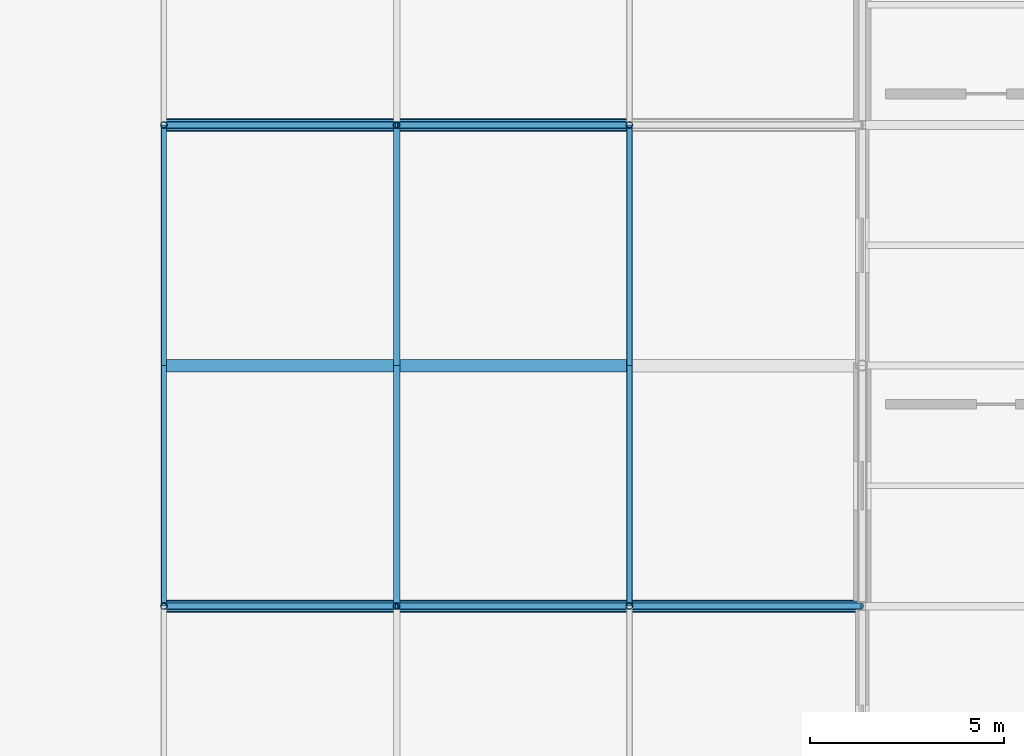
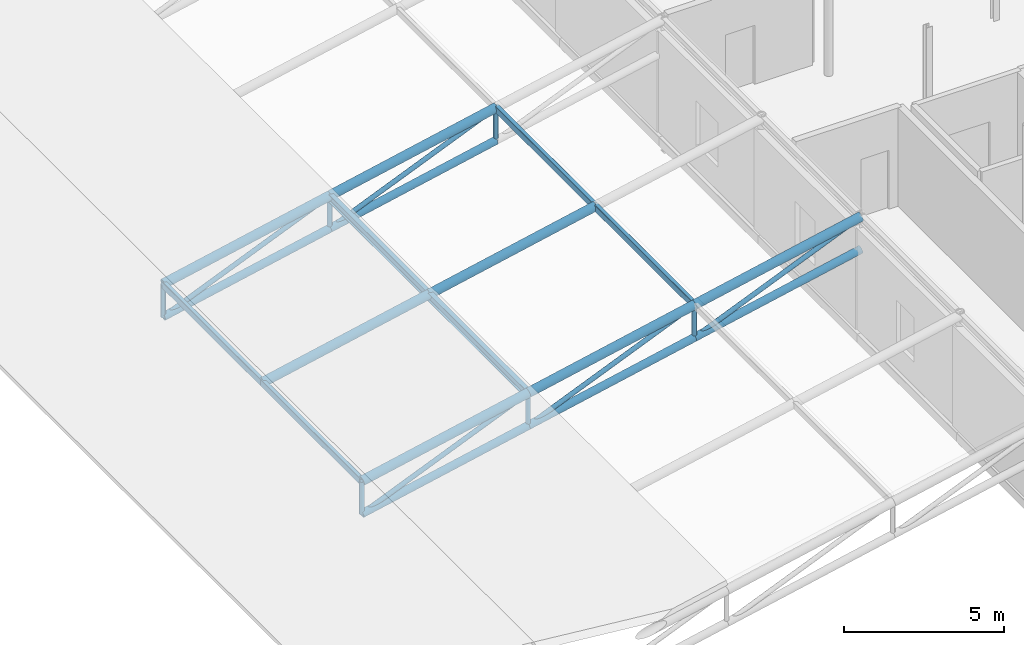
# One storey, part 19 of 66: 29 members.
"""IFC4 building model written with IfcOpenShell, lengths in metres."""

from ifc_helpers import new_model, si_unit, direction, frame, origin, origin_2d, place, context, subcontext, project, spatial, hollow_rectangle, hollow_circle, i_section, extrude, material, material_profile, profile_set, type_object, element, save


model = new_model("IFC4")

# Units and contexts
model_context = context("Model", 3, precision=1e-05, world=origin(), true_north=direction((0.0, 1.0)))
body_context = subcontext(model_context, "Body", "Model", "MODEL_VIEW")
ifc_project = project(units=[si_unit("LENGTHUNIT", "METRE"), si_unit("AREAUNIT", "SQUARE_METRE"), si_unit("VOLUMEUNIT", "CUBIC_METRE"), si_unit("PLANEANGLEUNIT", "RADIAN"), si_unit("MASSUNIT", "GRAM", prefix="KILO")], contexts=[model_context])

# Site, building, storey
site_placement = place(None, origin())
site = spatial("IfcSite", under=ifc_project, at=site_placement, CompositionType="ELEMENT")
building_placement = place(site_placement, origin())
building = spatial("IfcBuilding", under=site, at=building_placement, Name="Mirzam Square Science Centre", CompositionType="ELEMENT")
storey_placement = place(building_placement, frame((0.0, 0.0, 15.60009765625)))
storey = spatial("IfcBuildingStorey", under=building, at=storey_placement, Name="L03", CompositionType="ELEMENT", Elevation=15.60009765625)

# Members
ifc_material = material(Name="Steel S355", Category="steel")
ifc_material_profile_1 = material_profile(ifc_material, hollow_circle(Radius=0.084228515625, WallThickness=0.008056640625, at=origin_2d()), Name="168.3x8.0CHS")
ifc_profile_set_1 = profile_set([ifc_material_profile_1], Name="Steel S355")
member_type_1 = type_object("IfcMemberType", Name="BR-CHS168", PredefinedType="BRACE", material=ifc_profile_set_1)
member_1_placement = place(storey_placement, frame((18.0, 49.60009765625, -0.845703125), z_axis=(0.922529582988, 0.0, 0.385926377063), x_axis=(0.0, 1.0, 0.0)))
element("IfcMember", 1, at=member_1_placement, inside=storey, type_object=member_type_1, Name="Wedge truss web diagonal Y9 bay 4", PredefinedType="BRACE", context=body_context, shape_type="SweptSolid", body=[
    extrude(hollow_circle(Radius=0.084228515625, WallThickness=0.008056640625, at=origin_2d()), origin(), (0.0, 0.0, 1.0), 6.50390625),
])
member_2_placement = place(storey_placement, frame((18.0, 49.60009765625, -0.845703125), z_axis=(0.0, 0.0, 1.0), x_axis=(1.0, 0.0, 0.0)))
element("IfcMember", 2, at=member_2_placement, inside=storey, type_object=member_type_1, Name="Wedge truss post Y9 bay 4", PredefinedType="BRACE", context=body_context, shape_type="SweptSolid", body=[
    extrude(hollow_circle(Radius=0.084228515625, WallThickness=0.008056640625, at=origin_2d()), origin(), (0.0, 0.0, 1.0), 1.25),
])
member_3_placement = place(storey_placement, frame((24.0, 49.60009765625, 0.414306640625), z_axis=(0.922529582988, 0.0, 0.385926377063), x_axis=(0.0, 1.0, 0.0)))
element("IfcMember", 3, at=member_3_placement, inside=storey, type_object=member_type_1, Name="Wedge truss web diagonal Y9 bay 5", PredefinedType="BRACE", context=body_context, shape_type="SweptSolid", body=[
    extrude(hollow_circle(Radius=0.084228515625, WallThickness=0.008056640625, at=origin_2d()), origin(), (0.0, 0.0, 1.0), 6.50390625),
])
member_4_placement = place(storey_placement, frame((24.0, 49.60009765625, 0.414306640625), z_axis=(0.0, 0.0, 1.0), x_axis=(1.0, 0.0, 0.0)))
element("IfcMember", 4, at=member_4_placement, inside=storey, type_object=member_type_1, Name="Wedge truss post Y9 bay 5", PredefinedType="BRACE", context=body_context, shape_type="SweptSolid", body=[
    extrude(hollow_circle(Radius=0.084228515625, WallThickness=0.008056640625, at=origin_2d()), origin(), (0.0, 0.0, 1.0), 1.25),
])
member_5_placement = place(storey_placement, frame((30.0, 49.60009765625, 1.67431640625), z_axis=(0.922529582988, 0.0, 0.385926377063), x_axis=(0.0, 1.0, 0.0)))
element("IfcMember", 5, at=member_5_placement, inside=storey, type_object=member_type_1, Name="Wedge truss web diagonal Y9 bay 6", PredefinedType="BRACE", context=body_context, shape_type="SweptSolid", body=[
    extrude(hollow_circle(Radius=0.084228515625, WallThickness=0.008056640625, at=origin_2d()), origin(), (0.0, 0.0, 1.0), 6.50390625),
])
member_6_placement = place(storey_placement, frame((30.0, 49.60009765625, 1.67431640625), z_axis=(0.0, 0.0, 1.0), x_axis=(1.0, 0.0, 0.0)))
element("IfcMember", 6, at=member_6_placement, inside=storey, type_object=member_type_1, Name="Wedge truss post Y9 bay 6", PredefinedType="BRACE", context=body_context, shape_type="SweptSolid", body=[
    extrude(hollow_circle(Radius=0.084228515625, WallThickness=0.008056640625, at=origin_2d()), origin(), (0.0, 0.0, 1.0), 1.25),
])
member_7_placement = place(storey_placement, frame((18.0, 62.0, -0.845703125), z_axis=(0.922529582988, 0.0, 0.385926377063), x_axis=(0.0, 1.0, 0.0)))
element("IfcMember", 7, at=member_7_placement, inside=storey, type_object=member_type_1, Name="Wedge truss web diagonal Y11 bay 4", PredefinedType="BRACE", context=body_context, shape_type="SweptSolid", body=[
    extrude(hollow_circle(Radius=0.084228515625, WallThickness=0.008056640625, at=origin_2d()), origin(), (0.0, 0.0, 1.0), 6.50390625),
])
member_8_placement = place(storey_placement, frame((18.0, 62.0, -0.845703125), z_axis=(0.0, 0.0, 1.0), x_axis=(1.0, 0.0, 0.0)))
element("IfcMember", 8, at=member_8_placement, inside=storey, type_object=member_type_1, Name="Wedge truss post Y11 bay 4", PredefinedType="BRACE", context=body_context, shape_type="SweptSolid", body=[
    extrude(hollow_circle(Radius=0.084228515625, WallThickness=0.008056640625, at=origin_2d()), origin(), (0.0, 0.0, 1.0), 1.25),
])
member_9_placement = place(storey_placement, frame((24.0, 62.0, 0.414306640625), z_axis=(0.922529582988, 0.0, 0.385926377063), x_axis=(0.0, 1.0, 0.0)))
element("IfcMember", 9, at=member_9_placement, inside=storey, type_object=member_type_1, Name="Wedge truss web diagonal Y11 bay 5", PredefinedType="BRACE", context=body_context, shape_type="SweptSolid", body=[
    extrude(hollow_circle(Radius=0.084228515625, WallThickness=0.008056640625, at=origin_2d()), origin(), (0.0, 0.0, 1.0), 6.50390625),
])
for number, where, z_axis, x_axis, name in (
    (10, (24.0, 62.0, 0.414306640625), (0.0, 0.0, 1.0), (1.0, 0.0, 0.0), "Wedge truss post Y11 bay 5"),
    (11, (30.0, 62.0, 1.67431640625), (0.0, 0.0, 1.0), (1.0, 0.0, 0.0), "Wedge truss post Y11 bay 6"),
):
    element("IfcMember", number, at=place(storey_placement, frame(where, z_axis=z_axis, x_axis=x_axis)), inside=storey, type_object=member_type_1, Name=name, PredefinedType="BRACE", context=body_context, shape_type="SweptSolid", body=[
        extrude(hollow_circle(Radius=0.084228515625, WallThickness=0.008056640625, at=origin_2d()), origin(), (0.0, 0.0, 1.0), 1.25),
    ])
ifc_material_profile_2 = material_profile(ifc_material, hollow_circle(Radius=0.136474609375, WallThickness=0.010009765625, at=origin_2d()), Name="273.0x10.0CHS")
ifc_profile_set_2 = profile_set([ifc_material_profile_2], Name="Steel S355")
member_type_2 = type_object("IfcMemberType", Name="CH-CHS273", PredefinedType="CHORD", material=ifc_profile_set_2)
for number, where, z_axis, x_axis, name in (
    (12, (18.0, 49.60009765625, -0.845703125), (0.978653176229, 0.0, 0.205518759868), (0.0, 1.0, 0.0), "Wedge truss bottom chord Y9 bay 4"),
    (13, (24.0, 49.60009765625, 0.414306640625), (0.978653176229, 0.0, 0.205518759868), (0.0, 1.0, 0.0), "Wedge truss bottom chord Y9 bay 5"),
    (14, (30.0, 49.60009765625, 1.67431640625), (0.978653176229, 0.0, 0.205518759868), (0.0, 1.0, 0.0), "Wedge truss bottom chord Y9 bay 6"),
    (15, (18.0, 62.0, -0.845703125), (0.978653176229, 0.0, 0.205518759868), (0.0, 1.0, 0.0), "Wedge truss bottom chord Y11 bay 4"),
    (16, (24.0, 62.0, 0.414306640625), (0.978653176229, 0.0, 0.205518759868), (0.0, 1.0, 0.0), "Wedge truss bottom chord Y11 bay 5"),
):
    element("IfcMember", number, at=place(storey_placement, frame(where, z_axis=z_axis, x_axis=x_axis)), inside=storey, type_object=member_type_2, Name=name, PredefinedType="CHORD", context=body_context, shape_type="SweptSolid", body=[
        extrude(hollow_circle(Radius=0.136474609375, WallThickness=0.010009765625, at=origin_2d()), origin(), (0.0, 0.0, 1.0), 6.130859375),
    ])
ifc_material_profile_3 = material_profile(ifc_material, hollow_circle(Radius=0.161865234375, WallThickness=0.012451171875, at=origin_2d()), Name="323.9x12.5CHS")
ifc_profile_set_3 = profile_set([ifc_material_profile_3], Name="Steel S355")
member_type_3 = type_object("IfcMemberType", Name="CH-CHS324", PredefinedType="CHORD", material=ifc_profile_set_3)
for number, where, z_axis, x_axis, name in (
    (17, (18.0, 49.60009765625, 0.404296875), (0.978653176229, 0.0, 0.205518759868), (0.0, 1.0, 0.0), "Wedge truss top chord Y9 bay 4"),
    (18, (24.0, 49.60009765625, 1.664306640625), (0.978653176229, 0.0, 0.205518759868), (0.0, 1.0, 0.0), "Wedge truss top chord Y9 bay 5"),
    (19, (30.0, 49.60009765625, 2.92431640625), (0.978653176229, 0.0, 0.205518759868), (0.0, 1.0, 0.0), "Wedge truss top chord Y9 bay 6"),
    (20, (18.0, 55.800048828125, 0.404296875), (0.978653176229, 0.0, 0.205518759868), (0.0, 1.0, 0.0), "Wedge truss top chord Y10 bay 4"),
    (21, (24.0, 55.800048828125, 1.664306640625), (0.978653176229, 0.0, 0.205518759868), (0.0, 1.0, 0.0), "Wedge truss top chord Y10 bay 5"),
    (22, (18.0, 62.0, 0.404296875), (0.978653176229, 0.0, 0.205518759868), (0.0, 1.0, 0.0), "Wedge truss top chord Y11 bay 4"),
    (23, (24.0, 62.0, 1.664306640625), (0.978653176229, 0.0, 0.205518759868), (0.0, 1.0, 0.0), "Wedge truss top chord Y11 bay 5"),
):
    element("IfcMember", number, at=place(storey_placement, frame(where, z_axis=z_axis, x_axis=x_axis)), inside=storey, type_object=member_type_3, Name=name, PredefinedType="CHORD", context=body_context, shape_type="SweptSolid", body=[
        extrude(hollow_circle(Radius=0.161865234375, WallThickness=0.012451171875, at=origin_2d()), origin(), (0.0, 0.0, 1.0), 6.130859375),
    ])
ifc_material_profile_4 = material_profile(ifc_material, hollow_rectangle(XDim=0.14990234375, YDim=0.25, WallThickness=0.010009765625, InnerFilletRadius=0.010009765625, OuterFilletRadius=0.02001953125, at=origin_2d()), Name="250x150x10.0RHS")
ifc_profile_set_4 = profile_set([ifc_material_profile_4], Name="Steel S355")
member_type_4 = type_object("IfcMemberType", Name="RF-RHS250", PredefinedType="RAFTER", material=ifc_profile_set_4)
for number, where, z_axis, x_axis, name in (
    (24, (18.0, 49.60009765625, 0.4072265625), (0.0, 1.0, 0.0), (-1.0, 0.0, 0.0), "Wedge roof rafter X4-9"),
    (25, (30.0, 49.60009765625, 2.92724609375), (0.0, 1.0, 0.0), (-1.0, 0.0, 0.0), "Wedge roof rafter X6-9"),
    (26, (18.0, 55.800048828125, 0.4072265625), (0.0, 1.0, 0.0), (-1.0, 0.0, 0.0), "Wedge roof rafter X4-10"),
    (27, (30.0, 55.800048828125, 2.92724609375), (0.0, 1.0, 0.0), (-1.0, 0.0, 0.0), "Wedge roof rafter X6-10"),
):
    element("IfcMember", number, at=place(storey_placement, frame(where, z_axis=z_axis, x_axis=x_axis)), inside=storey, type_object=member_type_4, Name=name, PredefinedType="RAFTER", context=body_context, shape_type="SweptSolid", body=[
        extrude(hollow_rectangle(XDim=0.14990234375, YDim=0.25, WallThickness=0.010009765625, InnerFilletRadius=0.010009765625, OuterFilletRadius=0.02001953125, at=origin_2d()), origin(), (0.0, 0.0, 1.0), 6.199951171875),
    ])
ifc_material_profile_5 = material_profile(ifc_material, i_section(OverallWidth=0.165771484375, OverallDepth=0.306640625, WebThickness=0.006591796875, FlangeThickness=0.01171875, FilletRadius=0.0087890625, at=origin_2d()), Name="305x165x46UB")
ifc_profile_set_5 = profile_set([ifc_material_profile_5], Name="Steel S355")
member_type_5 = type_object("IfcMemberType", Name="RF-UB305", PredefinedType="RAFTER", material=ifc_profile_set_5)
for number, where, z_axis, x_axis, name in (
    (28, (24.0, 49.60009765625, 1.63818359375), (0.0, 1.0, 0.0), (-1.0, 0.0, 0.0), "Wedge roof rafter X5-9"),
    (29, (24.0, 55.800048828125, 1.63818359375), (0.0, 1.0, 0.0), (-1.0, 0.0, 0.0), "Wedge roof rafter X5-10"),
):
    element("IfcMember", number, at=place(storey_placement, frame(where, z_axis=z_axis, x_axis=x_axis)), inside=storey, type_object=member_type_5, Name=name, PredefinedType="RAFTER", context=body_context, shape_type="SweptSolid", body=[
        extrude(i_section(OverallWidth=0.165771484375, OverallDepth=0.306640625, WebThickness=0.006591796875, FlangeThickness=0.01171875, FilletRadius=0.0087890625, at=origin_2d()), origin(), (0.0, 0.0, 1.0), 6.199951171875),
    ])

save(model, "model.ifc")
